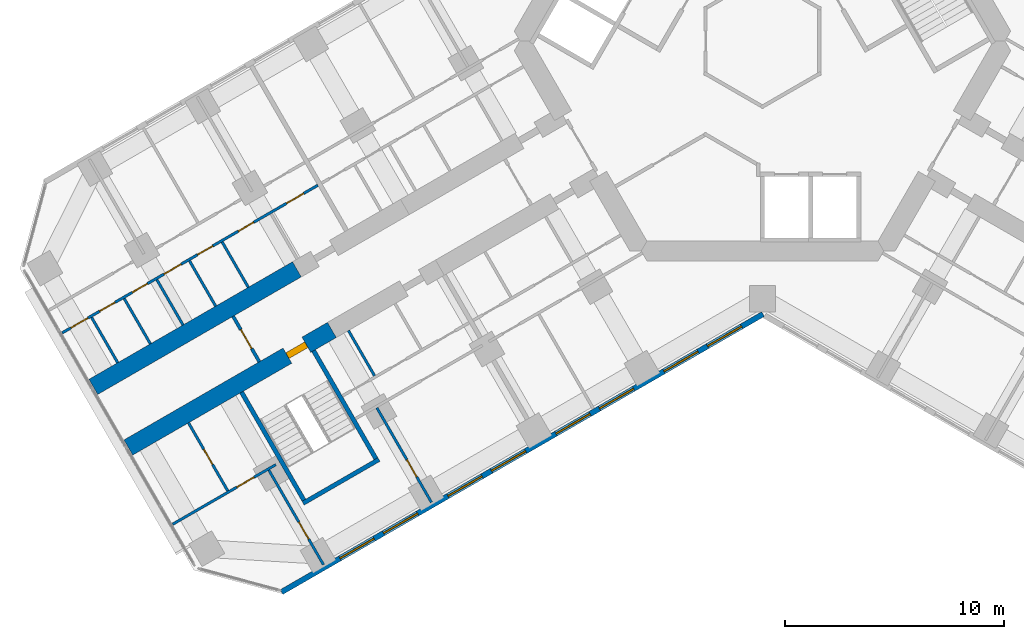
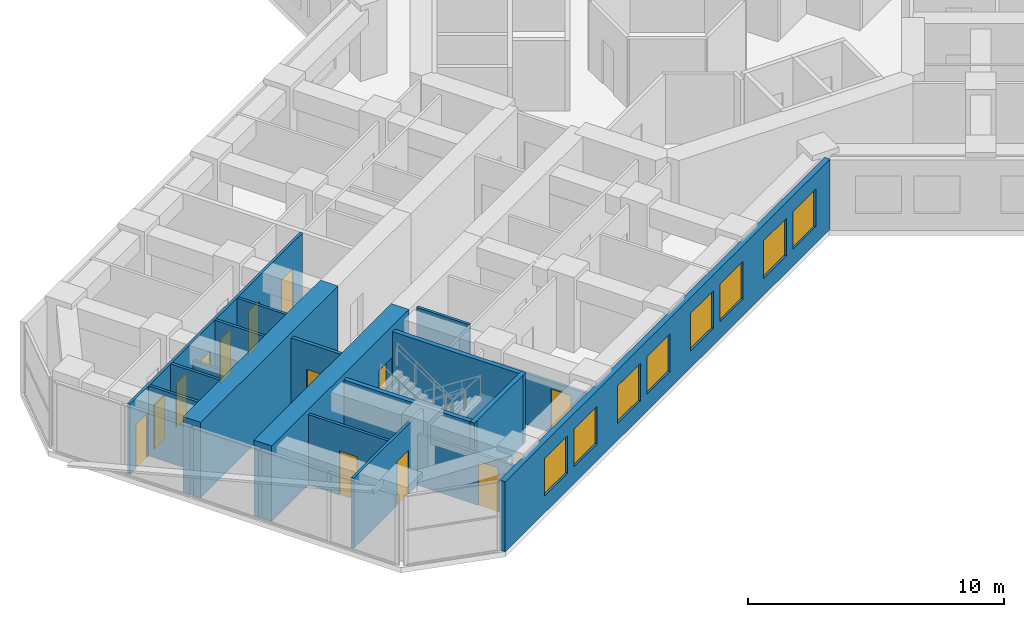
# One storey, part 10 of 20: 18 walls, 13 doors, 8 windows, 21 openings.
"""IFC4 building model written with IfcOpenShell, lengths in metres."""

from ifc_helpers import new_model, si_unit, direction, frame, frame_2d, origin, place, context, subcontext, project, spatial, rectangle, extrude, material, layer, layer_set, type_object, element, fill, save


model = new_model("IFC4")

# Units and contexts
model_context = context("Model", 3, precision=1e-05, world=origin(), true_north=direction((0.0, 1.0)))
body_context = subcontext(model_context, "Body", "Model", "MODEL_VIEW")
ifc_project = project(units=[si_unit("LENGTHUNIT", "METRE"), si_unit("AREAUNIT", "SQUARE_METRE"), si_unit("VOLUMEUNIT", "CUBIC_METRE"), si_unit("PLANEANGLEUNIT", "RADIAN"), si_unit("MASSUNIT", "GRAM", prefix="KILO")], contexts=[model_context])

# Site, building, storey
site_placement = place(None, origin())
site = spatial("IfcSite", under=ifc_project, at=site_placement, CompositionType="ELEMENT")
building_placement = place(site_placement, origin())
building = spatial("IfcBuilding", under=site, at=building_placement, Name="Kosmar Iwan School Tower", CompositionType="ELEMENT")
storey_placement = place(building_placement, frame((0.0, 0.0, 123.800048828125)))
storey = spatial("IfcBuildingStorey", under=building, at=storey_placement, Name="L30", CompositionType="ELEMENT", Elevation=123.800048828125)

# Wall, opening, door
ifc_material_1 = material(Name="Concrete C50/60", Category="concrete")
ifc_layer_1 = layer(ifc_material_1, 0.800048828125)
ifc_layer_set_1 = layer_set([ifc_layer_1], Name="Corridor buttress wall 800")
wall_type_1 = type_object("IfcWallType", Name="Corridor buttress wall 800", PredefinedType="SHEAR", material=ifc_layer_set_1)
wall_1_placement = place(storey_placement, frame((-19.681396484375, -13.210693359375, 0.0), z_axis=(0.0, 0.0, 1.0), x_axis=(-0.866028186671, -0.499995179869, 0.0)))
wall_1 = element("IfcWall", 1, at=wall_1_placement, inside=storey, type_object=wall_type_1, Name="Corridor wall BL bay 3", PredefinedType="SHEAR", context=body_context, shape_type="SweptSolid", body=[
    extrude(rectangle(XDim=10.7451171875, YDim=0.800048828125, at=frame_2d((5.37255859375, 0.0))), origin(), (0.0, 0.0, 1.0), 3.599853515625),
])
opening_1_placement = place(wall_1_placement, frame((1.35009765625, 0.0, 0.0)))
opening_1 = element("IfcOpeningElement", 2, at=opening_1_placement, cuts=wall_1, Name="Opening D6", PredefinedType="OPENING", context=body_context, shape_type="SweptSolid", body=[
    extrude(rectangle(XDim=1.0, YDim=2.10009765625, at=frame_2d((0.5, 1.050048828125))), frame((0.0, 0.412109375, 0.0), z_axis=(0.0, -1.0, 0.0), x_axis=(1.0, 0.0, 0.0)), (0.0, 0.0, 1.0), 0.823974609375),
])
ifc_material_2 = material(Name="Steel fire door", Category="steel")
door_type_1 = type_object("IfcDoorType", Name="Stair door 1000x2100", OperationType="SINGLE_SWING_LEFT", PredefinedType="DOOR", material=ifc_material_2)
door_1_placement = place(opening_1_placement, origin())
door_1 = element("IfcDoor", 3, at=door_1_placement, inside=storey, type_object=door_type_1, Name="Stair WS2 door L30", OperationType="SINGLE_SWING_LEFT", OverallHeight=2.10009765625, OverallWidth=1.0, PredefinedType="DOOR", context=body_context, shape_type="SweptSolid", body=[
    extrude(rectangle(XDim=1.0, YDim=2.10009765625, at=frame_2d((0.5, 1.050048828125))), frame((0.0, 0.14990234375, 0.0), z_axis=(0.0, -1.0, 0.0), x_axis=(1.0, 0.0, 0.0)), (0.0, 0.0, 1.0), 0.300048828125),
])
fill(opening_1, door_1)

# Wall
wall_2_placement = place(storey_placement, frame((-21.281494140625, -10.439453125, 0.0), z_axis=(0.0, 0.0, 1.0), x_axis=(-0.866032345022, -0.499987977232, 0.0)))
element("IfcWall", 4, at=wall_2_placement, inside=storey, type_object=wall_type_1, Name="Corridor wall BR bay 3", PredefinedType="SHEAR", context=body_context, shape_type="SweptSolid", body=[
    extrude(rectangle(XDim=10.744873046875, YDim=0.800048828125, at=frame_2d((5.37255859375, 0.0))), origin(), (0.0, 0.0, 1.0), 3.599853515625),
])

# Wall, opening, door
ifc_material_3 = material(Name="Gypsum board on steel studs, fire-rated", Category="steel")
ifc_layer_2 = layer(ifc_material_3, 0.14990234375)
ifc_layer_set_2 = layer_set([ifc_layer_2], Name="Corridor end wall 150")
wall_type_2 = type_object("IfcWallType", Name="Corridor end wall 150", PredefinedType="PARTITIONING", material=ifc_layer_set_2)
wall_3_placement = place(storey_placement, frame((-24.19921875, -12.585693359375, 0.0), z_axis=(0.0, 0.0, 1.0), x_axis=(0.499957262057, -0.866050077142, 0.0)))
wall_3 = element("IfcWall", 5, at=wall_3_placement, inside=storey, type_object=wall_type_2, Name="Partition L30-B-CE", PredefinedType="PARTITIONING", context=body_context, shape_type="SweptSolid", body=[
    extrude(rectangle(XDim=2.400146484375, YDim=0.14990234375, at=frame_2d((1.2001953125, 0.0))), origin(), (0.0, 0.0, 1.0), 3.349853515625),
])
opening_2_placement = place(wall_3_placement, frame((0.699951171875, 0.0, 0.0)))
opening_2 = element("IfcOpeningElement", 6, at=opening_2_placement, cuts=wall_3, Name="Opening D13", PredefinedType="OPENING", context=body_context, shape_type="SweptSolid", body=[
    extrude(rectangle(XDim=1.0, YDim=2.10009765625, at=frame_2d((0.5, 1.050048828125))), frame((0.0, 0.0869140625, 0.0), z_axis=(0.0, -1.0, 0.0), x_axis=(1.0, 0.0, 0.0)), (0.0, 0.0, 1.0), 0.173828125),
])
ifc_material_4 = material(Name="Timber fire door with vision panel", Category="wood")
door_type_2 = type_object("IfcDoorType", Name="Corridor end door 1000x2100", OperationType="SINGLE_SWING_LEFT", PredefinedType="DOOR", material=ifc_material_4)
door_2_placement = place(opening_2_placement, origin())
door_2 = element("IfcDoor", 7, at=door_2_placement, inside=storey, type_object=door_type_2, Name="Laundry and drying room door L30-B", OperationType="SINGLE_SWING_LEFT", OverallHeight=2.10009765625, OverallWidth=1.0, PredefinedType="DOOR", context=body_context, shape_type="SweptSolid", body=[
    extrude(rectangle(XDim=1.0, YDim=2.10009765625, at=frame_2d((0.5, 1.050048828125))), frame((0.0, 0.02490234375, 0.0), z_axis=(0.0, -1.0, 0.0), x_axis=(1.0, 0.0, 0.0)), (0.0, 0.0, 1.0), 0.050048828125),
])
fill(opening_2, door_2)

# Wall
ifc_material_5 = material(Name="Gypsum board on steel studs", Category="steel")
ifc_layer_3 = layer(ifc_material_5, 0.1201171875)
ifc_layer_set_3 = layer_set([ifc_layer_3], Name="Dwelling partition 120")
wall_type_3 = type_object("IfcWallType", Name="Dwelling partition 120", PredefinedType="PARTITIONING", material=ifc_layer_set_3)
wall_4_placement = place(storey_placement, frame((-18.92724609375, -13.237060546875, 0.0), z_axis=(0.0, 0.0, 1.0), x_axis=(0.500017192868, -0.86601547725, 0.0)))
element("IfcWall", 8, at=wall_4_placement, inside=storey, type_object=wall_type_3, Name="Partition L30-BL2-Y2", PredefinedType="PARTITIONING", context=body_context, shape_type="SweptSolid", body=[
    extrude(rectangle(XDim=2.39013671875, YDim=0.1201171875, at=frame_2d((1.195068359375, 0.0))), origin(), (0.0, 0.0, 1.0), 3.349853515625),
])

# Wall, opening, door
wall_5_placement = place(storey_placement, frame((-17.62646484375, -16.77001953125, 0.0), z_axis=(0.0, 0.0, 1.0), x_axis=(0.499975153383, -0.86603974851, 0.0)))
wall_5 = element("IfcWall", 9, at=wall_5_placement, inside=storey, type_object=wall_type_3, Name="Partition L30-BL2-TB", PredefinedType="PARTITIONING", context=body_context, shape_type="SweptSolid", body=[
    extrude(rectangle(XDim=4.989990234375, YDim=0.1201171875, at=frame_2d((2.4951171875, 0.0))), origin(), (0.0, 0.0, 1.0), 2.449951171875),
])
opening_3_placement = place(wall_5_placement, frame((2.739990234375, 0.0, 0.0)))
opening_3 = element("IfcOpeningElement", 10, at=opening_3_placement, cuts=wall_5, Name="Opening D2", PredefinedType="OPENING", context=body_context, shape_type="SweptSolid", body=[
    extrude(rectangle(XDim=0.89990234375, YDim=2.10009765625, at=frame_2d((0.449951171875, 1.050048828125))), frame((0.0, 0.072021484375, 0.0), z_axis=(0.0, -1.0, 0.0), x_axis=(1.0, 0.0, 0.0)), (0.0, 0.0, 1.0), 0.14404296875),
])
ifc_material_6 = material(Name="Timber door in timber frame", Category="wood")
door_type_3 = type_object("IfcDoorType", Name="Internal door 900x2100", OperationType="SINGLE_SWING_LEFT", PredefinedType="DOOR", material=ifc_material_6)
door_3_placement = place(opening_3_placement, origin())
door_3 = element("IfcDoor", 11, at=door_3_placement, inside=storey, type_object=door_type_3, Name="Study door L30-BL2-F1", OperationType="SINGLE_SWING_RIGHT", OverallHeight=2.10009765625, OverallWidth=0.89990234375, PredefinedType="DOOR", context=body_context, shape_type="SweptSolid", body=[
    extrude(rectangle(XDim=0.89990234375, YDim=2.10009765625, at=frame_2d((0.449951171875, 1.050048828125))), frame((0.0, 0.02490234375, 0.0), z_axis=(0.0, -1.0, 0.0), x_axis=(1.0, 0.0, 0.0)), (0.0, 0.0, 1.0), 0.050048828125),
])
fill(opening_3, door_3)

wall_6_placement = place(storey_placement, frame((-22.562744140625, -19.6201171875, 0.0), z_axis=(0.0, 0.0, 1.0), x_axis=(0.499996339024, -0.86602751744, 0.0)))
wall_6 = element("IfcWall", 12, at=wall_6_placement, inside=storey, type_object=wall_type_3, Name="Partition L30-BL2-TX", PredefinedType="PARTITIONING", context=body_context, shape_type="SweptSolid", body=[
    extrude(rectangle(XDim=4.98974609375, YDim=0.1201171875, at=frame_2d((2.494873046875, 0.0))), origin(), (0.0, 0.0, 1.0), 2.449951171875),
])
opening_4_placement = place(wall_6_placement, frame((2.739990234375, 0.0, 0.0)))
opening_4 = element("IfcOpeningElement", 13, at=opening_4_placement, cuts=wall_6, Name="Opening D2", PredefinedType="OPENING", context=body_context, shape_type="SweptSolid", body=[
    extrude(rectangle(XDim=0.89990234375, YDim=2.10009765625, at=frame_2d((0.449951171875, 1.050048828125))), frame((0.0, 0.072021484375, 0.0), z_axis=(0.0, -1.0, 0.0), x_axis=(1.0, 0.0, 0.0)), (0.0, 0.0, 1.0), 0.14404296875),
])
door_4_placement = place(opening_4_placement, origin())
door_4 = element("IfcDoor", 14, at=door_4_placement, inside=storey, type_object=door_type_3, Name="Study door L30-BL2-T1", OperationType="SINGLE_SWING_RIGHT", OverallHeight=2.10009765625, OverallWidth=0.89990234375, PredefinedType="DOOR", context=body_context, shape_type="SweptSolid", body=[
    extrude(rectangle(XDim=0.89990234375, YDim=2.10009765625, at=frame_2d((0.449951171875, 1.050048828125))), frame((0.0, 0.02490234375, 0.0), z_axis=(0.0, -1.0, 0.0), x_axis=(1.0, 0.0, 0.0)), (0.0, 0.0, 1.0), 0.050048828125),
])
fill(opening_4, door_4)

wall_7_placement = place(storey_placement, frame((-22.246337890625, -19.3681640625, 0.0), z_axis=(0.0, 0.0, 1.0), x_axis=(-0.866035508231, -0.499982498177, 0.0)))
wall_7 = element("IfcWall", 15, at=wall_7_placement, inside=storey, type_object=wall_type_3, Name="Partition L30-BL2-TW", PredefinedType="PARTITIONING", context=body_context, shape_type="SweptSolid", body=[
    extrude(rectangle(XDim=5.445068359375, YDim=0.1201171875, at=frame_2d((2.72265625, 0.0))), origin(), (0.0, 0.0, 1.0), 3.349853515625),
])
opening_5_placement = place(wall_7_placement, frame((1.14990234375, 0.0, 0.0)))
opening_5 = element("IfcOpeningElement", 16, at=opening_5_placement, cuts=wall_7, Name="Opening D2", PredefinedType="OPENING", context=body_context, shape_type="SweptSolid", body=[
    extrude(rectangle(XDim=0.89990234375, YDim=2.10009765625, at=frame_2d((0.449951171875, 1.050048828125))), frame((0.0, 0.072021484375, 0.0), z_axis=(0.0, -1.0, 0.0), x_axis=(1.0, 0.0, 0.0)), (0.0, 0.0, 1.0), 0.14404296875),
])
door_5_placement = place(opening_5_placement, origin())
door_5 = element("IfcDoor", 17, at=door_5_placement, inside=storey, type_object=door_type_3, Name="Dressing room door L30-BL2-T3", OperationType="SINGLE_SWING_LEFT", OverallHeight=2.10009765625, OverallWidth=0.89990234375, PredefinedType="DOOR", context=body_context, shape_type="SweptSolid", body=[
    extrude(rectangle(XDim=0.89990234375, YDim=2.10009765625, at=frame_2d((0.449951171875, 1.050048828125))), frame((0.0, 0.02490234375, 0.0), z_axis=(0.0, -1.0, 0.0), x_axis=(1.0, 0.0, 0.0)), (0.0, 0.0, 1.0), 0.050048828125),
])
fill(opening_5, door_5)

wall_8_placement = place(storey_placement, frame((-26.236572265625, -17.45703125, 0.0), z_axis=(0.0, 0.0, 1.0), x_axis=(0.50002266109, -0.866012320003, 0.0)))
wall_8 = element("IfcWall", 18, at=wall_8_placement, inside=storey, type_object=wall_type_3, Name="Partition L30-BL2-TY", PredefinedType="PARTITIONING", context=body_context, shape_type="SweptSolid", body=[
    extrude(rectangle(XDim=3.590087890625, YDim=0.1201171875, at=frame_2d((1.794921875, 0.0))), origin(), (0.0, 0.0, 1.0), 3.349853515625),
])
opening_6_placement = place(wall_8_placement, frame((1.39501953125, 0.0, 0.0)))
opening_6 = element("IfcOpeningElement", 19, at=opening_6_placement, cuts=wall_8, Name="Opening D3", PredefinedType="OPENING", context=body_context, shape_type="SweptSolid", body=[
    extrude(rectangle(XDim=0.800048828125, YDim=2.10009765625, at=frame_2d((0.39990234375, 1.050048828125))), frame((0.0, 0.072021484375, 0.0), z_axis=(0.0, -1.0, 0.0), x_axis=(1.0, 0.0, 0.0)), (0.0, 0.0, 1.0), 0.14404296875),
])
ifc_material_7 = material(Name="Timber door in timber frame", Category="wood")
door_type_4 = type_object("IfcDoorType", Name="Sanitary room door 800x2100", OperationType="SINGLE_SWING_LEFT", PredefinedType="DOOR", material=ifc_material_7)
door_6_placement = place(opening_6_placement, origin())
door_6 = element("IfcDoor", 20, at=door_6_placement, inside=storey, type_object=door_type_4, Name="Shower room door L30-BL2-T4", OperationType="SINGLE_SWING_RIGHT", OverallHeight=2.10009765625, OverallWidth=0.800048828125, PredefinedType="DOOR", context=body_context, shape_type="SweptSolid", body=[
    extrude(rectangle(XDim=0.800048828125, YDim=2.10009765625, at=frame_2d((0.39990234375, 1.050048828125))), frame((0.0, 0.02490234375, 0.0), z_axis=(0.0, -1.0, 0.0), x_axis=(1.0, 0.0, 0.0)), (0.0, 0.0, 1.0), 0.050048828125),
])
fill(opening_6, door_6)

# Wall, openings, doors
wall_9_placement = place(storey_placement, frame((-20.324951171875, -6.59619140625, 0.0), z_axis=(0.0, 0.0, 1.0), x_axis=(-0.866023503214, -0.50000329187, 0.0)))
wall_9 = element("IfcWall", 21, at=wall_9_placement, inside=storey, type_object=wall_type_3, Name="Partition L30-BR2-W1", PredefinedType="PARTITIONING", context=body_context, shape_type="SweptSolid", body=[
    extrude(rectangle(XDim=13.4951171875, YDim=0.1201171875, at=frame_2d((6.74755859375, 0.0))), origin(), (0.0, 0.0, 1.0), 3.349853515625),
])
opening_7_placement = place(wall_9_placement, frame((0.75, 0.0, 0.0)))
opening_7 = element("IfcOpeningElement", 22, at=opening_7_placement, cuts=wall_9, Name="Opening D2", PredefinedType="OPENING", context=body_context, shape_type="SweptSolid", body=[
    extrude(rectangle(XDim=0.89990234375, YDim=2.10009765625, at=frame_2d((0.449951171875, 1.050048828125))), frame((0.0, 0.072021484375, 0.0), z_axis=(0.0, -1.0, 0.0), x_axis=(1.0, 0.0, 0.0)), (0.0, 0.0, 1.0), 0.14404296875),
])
opening_8_placement = place(wall_9_placement, frame((3.392333984375, 0.0, 0.0)))
opening_8 = element("IfcOpeningElement", 23, at=opening_8_placement, cuts=wall_9, Name="Opening D3", PredefinedType="OPENING", context=body_context, shape_type="SweptSolid", body=[
    extrude(rectangle(XDim=0.800048828125, YDim=2.10009765625, at=frame_2d((0.39990234375, 1.050048828125))), frame((0.0, 0.072021484375, 0.0), z_axis=(0.0, -1.0, 0.0), x_axis=(1.0, 0.0, 0.0)), (0.0, 0.0, 1.0), 0.14404296875),
])
opening_9_placement = place(wall_9_placement, frame((5.546142578125, 0.0, 0.0)))
opening_9 = element("IfcOpeningElement", 24, at=opening_9_placement, cuts=wall_9, Name="Opening D3", PredefinedType="OPENING", context=body_context, shape_type="SweptSolid", body=[
    extrude(rectangle(XDim=0.800048828125, YDim=2.10009765625, at=frame_2d((0.39990234375, 1.050048828125))), frame((0.0, 0.072021484375, 0.0), z_axis=(0.0, -1.0, 0.0), x_axis=(1.0, 0.0, 0.0)), (0.0, 0.0, 1.0), 0.14404296875),
])
opening_10_placement = place(wall_9_placement, frame((7.21923828125, 0.0, 0.0)))
opening_10 = element("IfcOpeningElement", 25, at=opening_10_placement, cuts=wall_9, Name="Opening D2", PredefinedType="OPENING", context=body_context, shape_type="SweptSolid", body=[
    extrude(rectangle(XDim=0.89990234375, YDim=2.10009765625, at=frame_2d((0.449951171875, 1.050048828125))), frame((0.0, 0.072021484375, 0.0), z_axis=(0.0, -1.0, 0.0), x_axis=(1.0, 0.0, 0.0)), (0.0, 0.0, 1.0), 0.14404296875),
])
opening_11_placement = place(wall_9_placement, frame((8.992431640625, 0.0, 0.0)))
opening_11 = element("IfcOpeningElement", 26, at=opening_11_placement, cuts=wall_9, Name="Opening D3", PredefinedType="OPENING", context=body_context, shape_type="SweptSolid", body=[
    extrude(rectangle(XDim=0.800048828125, YDim=2.10009765625, at=frame_2d((0.39990234375, 1.050048828125))), frame((0.0, 0.072021484375, 0.0), z_axis=(0.0, -1.0, 0.0), x_axis=(1.0, 0.0, 0.0)), (0.0, 0.0, 1.0), 0.14404296875),
])
opening_12_placement = place(wall_9_placement, frame((10.71533203125, 0.0, 0.0)))
opening_12 = element("IfcOpeningElement", 27, at=opening_12_placement, cuts=wall_9, Name="Opening D3", PredefinedType="OPENING", context=body_context, shape_type="SweptSolid", body=[
    extrude(rectangle(XDim=0.800048828125, YDim=2.10009765625, at=frame_2d((0.39990234375, 1.050048828125))), frame((0.0, 0.072021484375, 0.0), z_axis=(0.0, -1.0, 0.0), x_axis=(1.0, 0.0, 0.0)), (0.0, 0.0, 1.0), 0.14404296875),
])
opening_13_placement = place(wall_9_placement, frame((12.136962890625, 0.0, 0.0)))
opening_13 = element("IfcOpeningElement", 28, at=opening_13_placement, cuts=wall_9, Name="Opening D2", PredefinedType="OPENING", context=body_context, shape_type="SweptSolid", body=[
    extrude(rectangle(XDim=0.89990234375, YDim=2.10009765625, at=frame_2d((0.449951171875, 1.050048828125))), frame((0.0, 0.072021484375, 0.0), z_axis=(0.0, -1.0, 0.0), x_axis=(1.0, 0.0, 0.0)), (0.0, 0.0, 1.0), 0.14404296875),
])
door_7_placement = place(opening_7_placement, origin())
door_7 = element("IfcDoor", 29, at=door_7_placement, inside=storey, type_object=door_type_3, Name="Entrance hall door L30-BR2-S1", OperationType="SINGLE_SWING_LEFT", OverallHeight=2.10009765625, OverallWidth=0.89990234375, PredefinedType="DOOR", context=body_context, shape_type="SweptSolid", body=[
    extrude(rectangle(XDim=0.89990234375, YDim=2.10009765625, at=frame_2d((0.449951171875, 1.050048828125))), frame((0.0, 0.02490234375, 0.0), z_axis=(0.0, -1.0, 0.0), x_axis=(1.0, 0.0, 0.0)), (0.0, 0.0, 1.0), 0.050048828125),
])
fill(opening_7, door_7)
door_8_placement = place(opening_10_placement, origin())
door_8 = element("IfcDoor", 30, at=door_8_placement, inside=storey, type_object=door_type_3, Name="Pantry door L30-BR2-S4", OperationType="SINGLE_SWING_RIGHT", OverallHeight=2.10009765625, OverallWidth=0.89990234375, PredefinedType="DOOR", context=body_context, shape_type="SweptSolid", body=[
    extrude(rectangle(XDim=0.89990234375, YDim=2.10009765625, at=frame_2d((0.449951171875, 1.050048828125))), frame((0.0, 0.02490234375, 0.0), z_axis=(0.0, -1.0, 0.0), x_axis=(1.0, 0.0, 0.0)), (0.0, 0.0, 1.0), 0.050048828125),
])
fill(opening_10, door_8)
door_9_placement = place(opening_13_placement, origin())
door_9 = element("IfcDoor", 31, at=door_9_placement, inside=storey, type_object=door_type_3, Name="Utility room door L30-BR2-S7", OperationType="SINGLE_SWING_LEFT", OverallHeight=2.10009765625, OverallWidth=0.89990234375, PredefinedType="DOOR", context=body_context, shape_type="SweptSolid", body=[
    extrude(rectangle(XDim=0.89990234375, YDim=2.10009765625, at=frame_2d((0.449951171875, 1.050048828125))), frame((0.0, 0.02490234375, 0.0), z_axis=(0.0, -1.0, 0.0), x_axis=(1.0, 0.0, 0.0)), (0.0, 0.0, 1.0), 0.050048828125),
])
fill(opening_13, door_9)
door_10_placement = place(opening_8_placement, origin())
door_10 = element("IfcDoor", 32, at=door_10_placement, inside=storey, type_object=door_type_4, Name="Bathroom door L30-BR2-S2", OperationType="SINGLE_SWING_RIGHT", OverallHeight=2.10009765625, OverallWidth=0.800048828125, PredefinedType="DOOR", context=body_context, shape_type="SweptSolid", body=[
    extrude(rectangle(XDim=0.800048828125, YDim=2.10009765625, at=frame_2d((0.39990234375, 1.050048828125))), frame((0.0, 0.02490234375, 0.0), z_axis=(0.0, -1.0, 0.0), x_axis=(1.0, 0.0, 0.0)), (0.0, 0.0, 1.0), 0.050048828125),
])
fill(opening_8, door_10)
door_11_placement = place(opening_9_placement, origin())
door_11 = element("IfcDoor", 33, at=door_11_placement, inside=storey, type_object=door_type_4, Name="Shower room door L30-BR2-S3", OperationType="SINGLE_SWING_LEFT", OverallHeight=2.10009765625, OverallWidth=0.800048828125, PredefinedType="DOOR", context=body_context, shape_type="SweptSolid", body=[
    extrude(rectangle(XDim=0.800048828125, YDim=2.10009765625, at=frame_2d((0.39990234375, 1.050048828125))), frame((0.0, 0.02490234375, 0.0), z_axis=(0.0, -1.0, 0.0), x_axis=(1.0, 0.0, 0.0)), (0.0, 0.0, 1.0), 0.050048828125),
])
fill(opening_9, door_11)
door_12_placement = place(opening_11_placement, origin())
door_12 = element("IfcDoor", 34, at=door_12_placement, inside=storey, type_object=door_type_4, Name="WC door L30-BR2-S5", OperationType="SINGLE_SWING_LEFT", OverallHeight=2.10009765625, OverallWidth=0.800048828125, PredefinedType="DOOR", context=body_context, shape_type="SweptSolid", body=[
    extrude(rectangle(XDim=0.800048828125, YDim=2.10009765625, at=frame_2d((0.39990234375, 1.050048828125))), frame((0.0, 0.02490234375, 0.0), z_axis=(0.0, -1.0, 0.0), x_axis=(1.0, 0.0, 0.0)), (0.0, 0.0, 1.0), 0.050048828125),
])
fill(opening_11, door_12)
door_13_placement = place(opening_12_placement, origin())
door_13 = element("IfcDoor", 35, at=door_13_placement, inside=storey, type_object=door_type_4, Name="Store door L30-BR2-S6", OperationType="SINGLE_SWING_RIGHT", OverallHeight=2.10009765625, OverallWidth=0.800048828125, PredefinedType="DOOR", context=body_context, shape_type="SweptSolid", body=[
    extrude(rectangle(XDim=0.800048828125, YDim=2.10009765625, at=frame_2d((0.39990234375, 1.050048828125))), frame((0.0, 0.02490234375, 0.0), z_axis=(0.0, -1.0, 0.0), x_axis=(1.0, 0.0, 0.0)), (0.0, 0.0, 1.0), 0.050048828125),
])
fill(opening_12, door_13)

# Walls
wall_10_placement = place(storey_placement, frame((-23.50341796875, -11.26025390625, 0.0), z_axis=(0.0, 0.0, 1.0), x_axis=(-0.499940577336, 0.866059708757, 0.0)))
element("IfcWall", 36, at=wall_10_placement, inside=storey, type_object=wall_type_3, Name="Partition L30-BR2-Y2", PredefinedType="PARTITIONING", context=body_context, shape_type="SweptSolid", body=[
    extrude(rectangle(XDim=2.389892578125, YDim=0.1201171875, at=frame_2d((1.19482421875, 0.0))), origin(), (0.0, 0.0, 1.0), 3.349853515625),
])
wall_11_placement = place(storey_placement, frame((-24.99560546875, -12.121826171875, 0.0), z_axis=(0.0, 0.0, 1.0), x_axis=(-0.500017192868, 0.86601547725, 0.0)))
element("IfcWall", 37, at=wall_11_placement, inside=storey, type_object=wall_type_3, Name="Partition L30-BR2-Y3", PredefinedType="PARTITIONING", context=body_context, shape_type="SweptSolid", body=[
    extrude(rectangle(XDim=2.39013671875, YDim=0.1201171875, at=frame_2d((1.195068359375, 0.0))), origin(), (0.0, 0.0, 1.0), 3.349853515625),
])
wall_12_placement = place(storey_placement, frame((-26.48779296875, -12.9833984375, 0.0), z_axis=(0.0, 0.0, 1.0), x_axis=(-0.500017192868, 0.86601547725, 0.0)))
element("IfcWall", 38, at=wall_12_placement, inside=storey, type_object=wall_type_3, Name="Partition L30-BR2-Y4", PredefinedType="PARTITIONING", context=body_context, shape_type="SweptSolid", body=[
    extrude(rectangle(XDim=2.39013671875, YDim=0.1201171875, at=frame_2d((1.195068359375, 0.0))), origin(), (0.0, 0.0, 1.0), 2.449951171875),
])
wall_13_placement = place(storey_placement, frame((-27.97998046875, -13.844970703125, 0.0), z_axis=(0.0, 0.0, 1.0), x_axis=(-0.500017192868, 0.86601547725, 0.0)))
element("IfcWall", 39, at=wall_13_placement, inside=storey, type_object=wall_type_3, Name="Partition L30-BR2-Y5", PredefinedType="PARTITIONING", context=body_context, shape_type="SweptSolid", body=[
    extrude(rectangle(XDim=2.39013671875, YDim=0.1201171875, at=frame_2d((1.195068359375, 0.0))), origin(), (0.0, 0.0, 1.0), 3.349853515625),
])
wall_14_placement = place(storey_placement, frame((-29.47216796875, -14.706298828125, 0.0), z_axis=(0.0, 0.0, 1.0), x_axis=(-0.500061428766, 0.865989934965, 0.0)))
element("IfcWall", 40, at=wall_14_placement, inside=storey, type_object=wall_type_3, Name="Partition L30-BR2-Y6", PredefinedType="PARTITIONING", context=body_context, shape_type="SweptSolid", body=[
    extrude(rectangle(XDim=2.389892578125, YDim=0.1201171875, at=frame_2d((1.19482421875, 0.0))), origin(), (0.0, 0.0, 1.0), 3.349853515625),
])
ifc_material_8 = material(Name="Concrete C35/45", Category="concrete")
ifc_layer_4 = layer(ifc_material_8, 0.199951171875)
ifc_layer_set_4 = layer_set([ifc_layer_4], Name="Escape stair wall 200")
wall_type_4 = type_object("IfcWallType", Name="Escape stair wall 200", PredefinedType="SHEAR", material=ifc_layer_set_4)
wall_15_placement = place(storey_placement, frame((-20.520751953125, -14.156982421875, 0.0), z_axis=(0.0, 0.0, 1.0), x_axis=(0.499988710057, -0.866031921938, 0.0)))
element("IfcWall", 41, at=wall_15_placement, inside=storey, type_object=wall_type_4, Name="Stair WS2 wall", PredefinedType="SHEAR", context=body_context, shape_type="SweptSolid", body=[
    extrude(rectangle(XDim=5.900146484375, YDim=0.199951171875, at=frame_2d((2.9501953125, 0.0))), origin(), (0.0, 0.0, 1.0), 3.329833984375),
])
wall_16_placement = place(storey_placement, frame((-23.8115234375, -16.05712890625, 0.0), z_axis=(0.0, 0.0, 1.0), x_axis=(0.500006628179, -0.86602157697, 0.0)))
element("IfcWall", 42, at=wall_16_placement, inside=storey, type_object=wall_type_4, Name="Stair WS2 wall", PredefinedType="SHEAR", context=body_context, shape_type="SweptSolid", body=[
    extrude(rectangle(XDim=5.89990234375, YDim=0.199951171875, at=frame_2d((2.949951171875, 0.0))), origin(), (0.0, 0.0, 1.0), 3.329833984375),
])
wall_17_placement = place(storey_placement, frame((-17.5341796875, -19.1298828125, 0.0), z_axis=(0.0, 0.0, 1.0), x_axis=(-0.866026010844, -0.49999894854, 0.0)))
element("IfcWall", 43, at=wall_17_placement, inside=storey, type_object=wall_type_4, Name="Stair WS2 wall", PredefinedType="SHEAR", context=body_context, shape_type="SweptSolid", body=[
    extrude(rectangle(XDim=4.0, YDim=0.199951171875, at=frame_2d((2.0, 0.0))), origin(), (0.0, 0.0, 1.0), 3.329833984375),
])

# Wall, openings, windows
ifc_material_9 = material(Name="Black aluminium rainscreen on insulated framing", Category="aluminium")
ifc_layer_5 = layer(ifc_material_9, 0.25)
ifc_layer_set_5 = layer_set([ifc_layer_5], Name="External wall rainscreen 250")
wall_type_5 = type_object("IfcWallType", Name="External wall rainscreen 250", PredefinedType="SOLIDWALL", material=ifc_layer_set_5)
wall_18_placement = place(storey_placement, frame((0.023193359375, -12.486083984375, 0.0), z_axis=(0.0, 0.0, 1.0), x_axis=(-0.86602400047, -0.500002430605, 0.0)))
wall_18 = element("IfcWall", 44, at=wall_18_placement, inside=storey, type_object=wall_type_5, Name="External wall BL L30", PredefinedType="SOLIDWALL", context=body_context, shape_type="SweptSolid", body=[
    extrude(rectangle(XDim=25.412353515625, YDim=0.25, at=frame_2d((12.7060546875, 0.0))), origin(), (0.0, 0.0, 1.0), 3.349853515625),
])
opening_14_placement = place(wall_18_placement, frame((1.126953125, 0.0, 0.800048828125)))
opening_14 = element("IfcOpeningElement", 45, at=opening_14_placement, cuts=wall_18, Name="Opening W1", PredefinedType="OPENING", context=body_context, shape_type="SweptSolid", body=[
    extrude(rectangle(XDim=1.800048828125, YDim=1.800048828125, at=frame_2d((0.89990234375, 0.89990234375))), frame((0.0, 0.136962890625, 0.0), z_axis=(0.0, -1.0, 0.0), x_axis=(1.0, 0.0, 0.0)), (0.0, 0.0, 1.0), 0.27392578125),
])
opening_15_placement = place(wall_18_placement, frame((3.427001953125, 0.0, 0.800048828125)))
opening_15 = element("IfcOpeningElement", 46, at=opening_15_placement, cuts=wall_18, Name="Opening W1", PredefinedType="OPENING", context=body_context, shape_type="SweptSolid", body=[
    extrude(rectangle(XDim=1.800048828125, YDim=1.800048828125, at=frame_2d((0.89990234375, 0.89990234375))), frame((0.0, 0.136962890625, 0.0), z_axis=(0.0, -1.0, 0.0), x_axis=(1.0, 0.0, 0.0)), (0.0, 0.0, 1.0), 0.27392578125),
])
opening_16_placement = place(wall_18_placement, frame((6.8271484375, 0.0, 0.800048828125)))
opening_16 = element("IfcOpeningElement", 47, at=opening_16_placement, cuts=wall_18, Name="Opening W1", PredefinedType="OPENING", context=body_context, shape_type="SweptSolid", body=[
    extrude(rectangle(XDim=1.800048828125, YDim=1.800048828125, at=frame_2d((0.89990234375, 0.89990234375))), frame((0.0, 0.136962890625, 0.0), z_axis=(0.0, -1.0, 0.0), x_axis=(1.0, 0.0, 0.0)), (0.0, 0.0, 1.0), 0.27392578125),
])
opening_17_placement = place(wall_18_placement, frame((9.126953125, 0.0, 0.800048828125)))
opening_17 = element("IfcOpeningElement", 48, at=opening_17_placement, cuts=wall_18, Name="Opening W1", PredefinedType="OPENING", context=body_context, shape_type="SweptSolid", body=[
    extrude(rectangle(XDim=1.800048828125, YDim=1.800048828125, at=frame_2d((0.89990234375, 0.89990234375))), frame((0.0, 0.136962890625, 0.0), z_axis=(0.0, -1.0, 0.0), x_axis=(1.0, 0.0, 0.0)), (0.0, 0.0, 1.0), 0.27392578125),
])
opening_18_placement = place(wall_18_placement, frame((12.527099609375, 0.0, 0.800048828125)))
opening_18 = element("IfcOpeningElement", 49, at=opening_18_placement, cuts=wall_18, Name="Opening W1", PredefinedType="OPENING", context=body_context, shape_type="SweptSolid", body=[
    extrude(rectangle(XDim=1.800048828125, YDim=1.800048828125, at=frame_2d((0.89990234375, 0.89990234375))), frame((0.0, 0.136962890625, 0.0), z_axis=(0.0, -1.0, 0.0), x_axis=(1.0, 0.0, 0.0)), (0.0, 0.0, 1.0), 0.27392578125),
])
opening_19_placement = place(wall_18_placement, frame((14.8271484375, 0.0, 0.800048828125)))
opening_19 = element("IfcOpeningElement", 50, at=opening_19_placement, cuts=wall_18, Name="Opening W1", PredefinedType="OPENING", context=body_context, shape_type="SweptSolid", body=[
    extrude(rectangle(XDim=1.800048828125, YDim=1.800048828125, at=frame_2d((0.89990234375, 0.89990234375))), frame((0.0, 0.136962890625, 0.0), z_axis=(0.0, -1.0, 0.0), x_axis=(1.0, 0.0, 0.0)), (0.0, 0.0, 1.0), 0.27392578125),
])
opening_20_placement = place(wall_18_placement, frame((18.22705078125, 0.0, 0.800048828125)))
opening_20 = element("IfcOpeningElement", 51, at=opening_20_placement, cuts=wall_18, Name="Opening W1", PredefinedType="OPENING", context=body_context, shape_type="SweptSolid", body=[
    extrude(rectangle(XDim=1.800048828125, YDim=1.800048828125, at=frame_2d((0.89990234375, 0.89990234375))), frame((0.0, 0.136962890625, 0.0), z_axis=(0.0, -1.0, 0.0), x_axis=(1.0, 0.0, 0.0)), (0.0, 0.0, 1.0), 0.27392578125),
])
opening_21_placement = place(wall_18_placement, frame((20.527099609375, 0.0, 0.800048828125)))
opening_21 = element("IfcOpeningElement", 52, at=opening_21_placement, cuts=wall_18, Name="Opening W1", PredefinedType="OPENING", context=body_context, shape_type="SweptSolid", body=[
    extrude(rectangle(XDim=1.800048828125, YDim=1.800048828125, at=frame_2d((0.89990234375, 0.89990234375))), frame((0.0, 0.136962890625, 0.0), z_axis=(0.0, -1.0, 0.0), x_axis=(1.0, 0.0, 0.0)), (0.0, 0.0, 1.0), 0.27392578125),
])
ifc_material_10 = material(Name="Black aluminium frame with dark triple glazing", Category="aluminium")
window_type = type_object("IfcWindowType", Name="Window 1800x1800", PartitioningType="SINGLE_PANEL", PredefinedType="WINDOW", material=ifc_material_10)
window_1_placement = place(opening_14_placement, origin())
window_1 = element("IfcWindow", 53, at=window_1_placement, inside=storey, type_object=window_type, Name="Window BL L30 -1", OverallHeight=1.800048828125, OverallWidth=1.800048828125, PartitioningType="SINGLE_PANEL", PredefinedType="WINDOW", context=body_context, shape_type="SweptSolid", body=[
    extrude(rectangle(XDim=1.800048828125, YDim=1.800048828125, at=frame_2d((0.89990234375, 0.89990234375))), frame((0.0, 0.030029296875, 0.0), z_axis=(0.0, -1.0, 0.0), x_axis=(1.0, 0.0, 0.0)), (0.0, 0.0, 1.0), 0.06005859375),
])
fill(opening_14, window_1)
window_2_placement = place(opening_15_placement, origin())
window_2 = element("IfcWindow", 54, at=window_2_placement, inside=storey, type_object=window_type, Name="Window BL L30 0", OverallHeight=1.800048828125, OverallWidth=1.800048828125, PartitioningType="SINGLE_PANEL", PredefinedType="WINDOW", context=body_context, shape_type="SweptSolid", body=[
    extrude(rectangle(XDim=1.800048828125, YDim=1.800048828125, at=frame_2d((0.89990234375, 0.89990234375))), frame((0.0, 0.030029296875, 0.0), z_axis=(0.0, -1.0, 0.0), x_axis=(1.0, 0.0, 0.0)), (0.0, 0.0, 1.0), 0.06005859375),
])
fill(opening_15, window_2)
window_3_placement = place(opening_16_placement, origin())
window_3 = element("IfcWindow", 55, at=window_3_placement, inside=storey, type_object=window_type, Name="Window BL L30 1", OverallHeight=1.800048828125, OverallWidth=1.800048828125, PartitioningType="SINGLE_PANEL", PredefinedType="WINDOW", context=body_context, shape_type="SweptSolid", body=[
    extrude(rectangle(XDim=1.800048828125, YDim=1.800048828125, at=frame_2d((0.89990234375, 0.89990234375))), frame((0.0, 0.030029296875, 0.0), z_axis=(0.0, -1.0, 0.0), x_axis=(1.0, 0.0, 0.0)), (0.0, 0.0, 1.0), 0.06005859375),
])
fill(opening_16, window_3)
window_4_placement = place(opening_17_placement, origin())
window_4 = element("IfcWindow", 56, at=window_4_placement, inside=storey, type_object=window_type, Name="Window BL L30 2", OverallHeight=1.800048828125, OverallWidth=1.800048828125, PartitioningType="SINGLE_PANEL", PredefinedType="WINDOW", context=body_context, shape_type="SweptSolid", body=[
    extrude(rectangle(XDim=1.800048828125, YDim=1.800048828125, at=frame_2d((0.89990234375, 0.89990234375))), frame((0.0, 0.030029296875, 0.0), z_axis=(0.0, -1.0, 0.0), x_axis=(1.0, 0.0, 0.0)), (0.0, 0.0, 1.0), 0.06005859375),
])
fill(opening_17, window_4)
window_5_placement = place(opening_18_placement, origin())
window_5 = element("IfcWindow", 57, at=window_5_placement, inside=storey, type_object=window_type, Name="Window BL L30 3", OverallHeight=1.800048828125, OverallWidth=1.800048828125, PartitioningType="SINGLE_PANEL", PredefinedType="WINDOW", context=body_context, shape_type="SweptSolid", body=[
    extrude(rectangle(XDim=1.800048828125, YDim=1.800048828125, at=frame_2d((0.89990234375, 0.89990234375))), frame((0.0, 0.030029296875, 0.0), z_axis=(0.0, -1.0, 0.0), x_axis=(1.0, 0.0, 0.0)), (0.0, 0.0, 1.0), 0.06005859375),
])
fill(opening_18, window_5)
window_6_placement = place(opening_19_placement, origin())
window_6 = element("IfcWindow", 58, at=window_6_placement, inside=storey, type_object=window_type, Name="Window BL L30 4", OverallHeight=1.800048828125, OverallWidth=1.800048828125, PartitioningType="SINGLE_PANEL", PredefinedType="WINDOW", context=body_context, shape_type="SweptSolid", body=[
    extrude(rectangle(XDim=1.800048828125, YDim=1.800048828125, at=frame_2d((0.89990234375, 0.89990234375))), frame((0.0, 0.030029296875, 0.0), z_axis=(0.0, -1.0, 0.0), x_axis=(1.0, 0.0, 0.0)), (0.0, 0.0, 1.0), 0.06005859375),
])
fill(opening_19, window_6)
window_7_placement = place(opening_20_placement, origin())
window_7 = element("IfcWindow", 59, at=window_7_placement, inside=storey, type_object=window_type, Name="Window BL L30 5", OverallHeight=1.800048828125, OverallWidth=1.800048828125, PartitioningType="SINGLE_PANEL", PredefinedType="WINDOW", context=body_context, shape_type="SweptSolid", body=[
    extrude(rectangle(XDim=1.800048828125, YDim=1.800048828125, at=frame_2d((0.89990234375, 0.89990234375))), frame((0.0, 0.030029296875, 0.0), z_axis=(0.0, -1.0, 0.0), x_axis=(1.0, 0.0, 0.0)), (0.0, 0.0, 1.0), 0.06005859375),
])
fill(opening_20, window_7)
window_8_placement = place(opening_21_placement, origin())
window_8 = element("IfcWindow", 60, at=window_8_placement, inside=storey, type_object=window_type, Name="Window BL L30 6", OverallHeight=1.800048828125, OverallWidth=1.800048828125, PartitioningType="SINGLE_PANEL", PredefinedType="WINDOW", context=body_context, shape_type="SweptSolid", body=[
    extrude(rectangle(XDim=1.800048828125, YDim=1.800048828125, at=frame_2d((0.89990234375, 0.89990234375))), frame((0.0, 0.030029296875, 0.0), z_axis=(0.0, -1.0, 0.0), x_axis=(1.0, 0.0, 0.0)), (0.0, 0.0, 1.0), 0.06005859375),
])
fill(opening_21, window_8)

save(model, "model.ifc")
